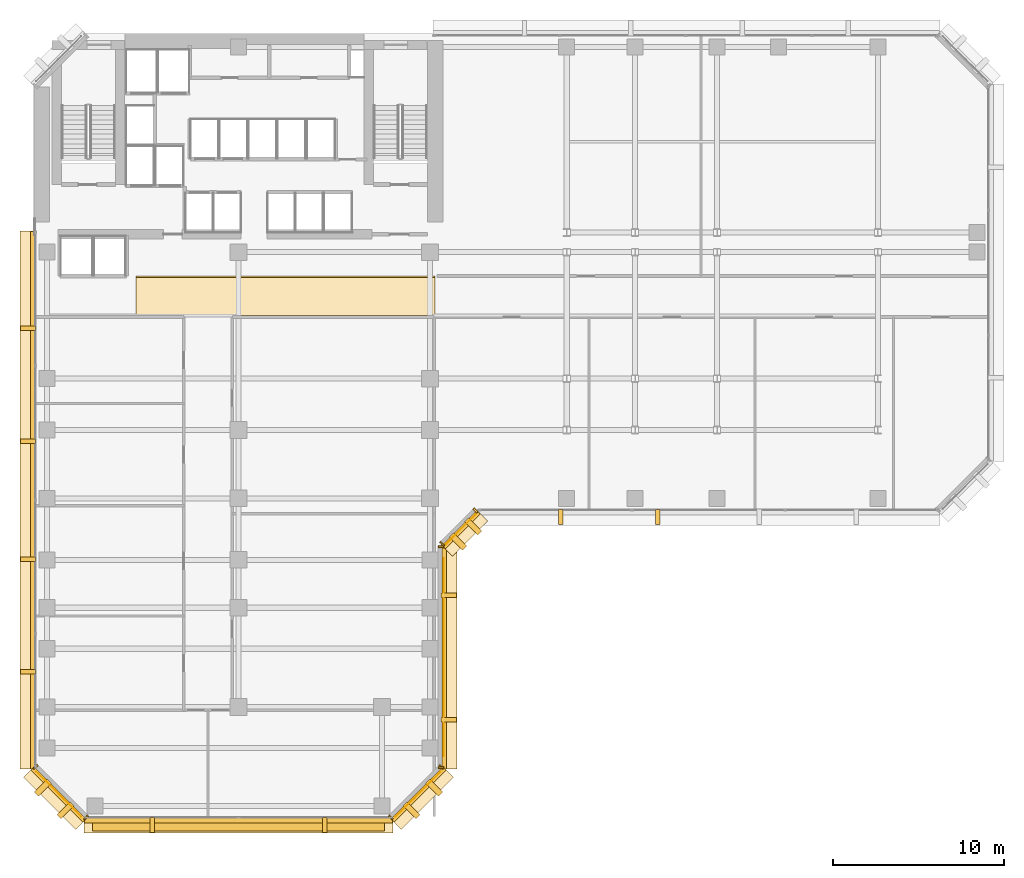
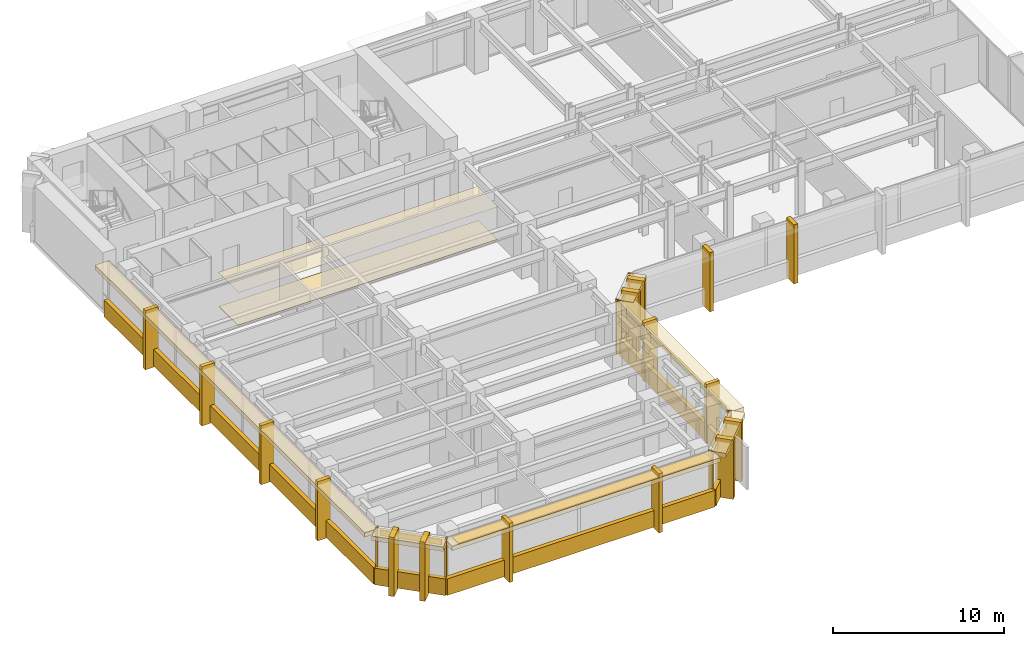
# One storey, part 9 of 13: 42 coverings, 1 shading device.
"""IFC4 building model written with IfcOpenShell, lengths in metres."""

from ifc_helpers import new_model, si_unit, direction, frame, origin, origin_2d, place, context, subcontext, project, spatial, polyline, rectangle, outline, extrude, material, layer, layer_set, type_object, element, save


model = new_model("IFC4")

# Units and contexts
model_context = context("Model", 3, precision=1e-05, world=origin(), true_north=direction((0.0, 1.0)))
body_context = subcontext(model_context, "Body", "Model", "MODEL_VIEW")
ifc_project = project(units=[si_unit("LENGTHUNIT", "METRE"), si_unit("AREAUNIT", "SQUARE_METRE"), si_unit("VOLUMEUNIT", "CUBIC_METRE"), si_unit("PLANEANGLEUNIT", "RADIAN"), si_unit("MASSUNIT", "GRAM", prefix="KILO")], contexts=[model_context])

# Site, building, storey
site_placement = place(None, origin())
site = spatial("IfcSite", under=ifc_project, at=site_placement, CompositionType="ELEMENT")
building_placement = place(site_placement, origin())
building = spatial("IfcBuilding", under=site, at=building_placement, Name="Kefirva Bronze Tower", CompositionType="ELEMENT")
storey_placement = place(building_placement, frame((0.0, 0.0, 106.590087890625)))
storey = spatial("IfcBuildingStorey", under=building, at=storey_placement, Name="L25", CompositionType="ELEMENT", Elevation=106.590087890625)

# Coverings
ifc_material_1 = material(Name="Acoustic mineral tile")
ifc_layer_1 = layer(ifc_material_1, 0.02490234375, Name="Acoustic mineral tile")
ifc_layer_set_1 = layer_set([ifc_layer_1], Name="Acoustic mineral tile")
covering_type_1 = type_object("IfcCoveringType", Name="Acoustic Mineral Suspended Ceiling 25mm", PredefinedType="CEILING", material=ifc_layer_set_1)
covering_1_placement = place(storey_placement, frame((0.0, 0.0, 2.39990234375)))
element("IfcCovering", 1, at=covering_1_placement, inside=storey, type_object=covering_type_1, Name="L25 Corridor Acoustic Ceiling", PredefinedType="CEILING", context=body_context, shape_type="SweptSolid", body=[
    extrude(outline(polyline([(6.0, 29.39990234375), (23.5, 29.39990234375), (23.5, 31.800048828125), (6.0, 31.800048828125), (6.0, 29.39990234375)])), origin(), (0.0, 0.0, 1.0), 0.02490234375),
])
ifc_material_2 = material(Name="Bronze anodised aluminium", Category="aluminium")
ifc_layer_2 = layer(ifc_material_2, 0.02001953125, Name="Bronze anodised aluminium")
ifc_layer_set_2 = layer_set([ifc_layer_2], Name="Bronze anodised aluminium")
covering_type_2 = type_object("IfcCoveringType", Name="Anodised Bronze Spandrel Cladding 20mm", PredefinedType="CLADDING", material=ifc_layer_set_2)
covering_2_placement = place(storey_placement, frame((12.0, -0.0400390625, -0.16015625), z_axis=(0.0, 0.0, 1.0), x_axis=(1.0, 0.0, 0.0)))
element("IfcCovering", 2, at=covering_2_placement, inside=storey, type_object=covering_type_2, Name="L25 Streamline Horizontal Spandrel Band 0", PredefinedType="CLADDING", context=body_context, shape_type="SweptSolid", body=[
    extrude(rectangle(XDim=18.0400390625, YDim=0.280029296875, at=origin_2d()), origin(), (0.0, 0.0, 1.0), 1.179931640625),
])
covering_3_placement = place(storey_placement, frame((22.507080078125, 1.492919921875, 3.2900390625), z_axis=(0.0, 0.0, 1.0), x_axis=(0.707106781187, 0.707106781187, 0.0)))
element("IfcCovering", 3, at=covering_3_placement, inside=storey, type_object=covering_type_2, Name="L25 Bronze Spandrel Cladding 1", PredefinedType="CLADDING", context=body_context, shape_type="SweptSolid", body=[
    extrude(rectangle(XDim=3.719482421875, YDim=0.02001953125, at=origin_2d()), origin(), (0.0, 0.0, 1.0), 0.39990234375),
])
for number, where, z_axis, x_axis, name in (
    (4, (20.91162109375, 0.137939453125, 0.0), (0.0, 0.0, 1.0), (0.707106781187, 0.707106781187, 0.0), "L25 Facade Joint Closure Panel 1S"),
    (5, (23.862060546875, 3.08837890625, 0.0), (0.0, 0.0, 1.0), (0.707106781187, 0.707106781187, 0.0), "L25 Facade Joint Closure Panel 1E"),
):
    element("IfcCovering", number, at=place(storey_placement, frame(where, z_axis=z_axis, x_axis=x_axis)), inside=storey, type_object=covering_type_2, Name=name, PredefinedType="CLADDING", context=body_context, shape_type="SweptSolid", body=[
        extrude(rectangle(XDim=0.10009765625, YDim=0.320068359375, at=origin_2d()), origin(), (0.0, 0.0, 1.0), 3.7099609375),
    ])
covering_4_placement = place(storey_placement, frame((22.5283203125, 1.4716796875, -0.16015625), z_axis=(0.0, 0.0, 1.0), x_axis=(0.707106781187, 0.707106781187, 0.0)))
element("IfcCovering", 6, at=covering_4_placement, inside=storey, type_object=covering_type_2, Name="L25 Streamline Horizontal Spandrel Band 1", PredefinedType="CLADDING", context=body_context, shape_type="SweptSolid", body=[
    extrude(rectangle(XDim=4.28271484375, YDim=0.280029296875, at=origin_2d()), origin(), (0.0, 0.0, 1.0), 1.179931640625),
])
covering_5_placement = place(storey_placement, frame((24.010009765625, 9.5, 3.2900390625), z_axis=(0.0, 0.0, 1.0), x_axis=(0.0, 1.0, 0.0)))
element("IfcCovering", 7, at=covering_5_placement, inside=storey, type_object=covering_type_2, Name="L25 Bronze Spandrel Cladding 2", PredefinedType="CLADDING", context=body_context, shape_type="SweptSolid", body=[
    extrude(rectangle(XDim=11.60107421875, YDim=0.02001953125, at=origin_2d()), origin(), (0.0, 0.0, 1.0), 0.39990234375),
])
for number, where, z_axis, x_axis, name in (
    (8, (23.840087890625, 3.034912109375, 0.0), (0.0, 0.0, 1.0), (0.0, 1.0, 0.0), "L25 Facade Joint Closure Panel 2S"),
    (9, (23.840087890625, 15.965087890625, 0.0), (0.0, 0.0, 1.0), (0.0, 1.0, 0.0), "L25 Facade Joint Closure Panel 2E"),
):
    element("IfcCovering", number, at=place(storey_placement, frame(where, z_axis=z_axis, x_axis=x_axis)), inside=storey, type_object=covering_type_2, Name=name, PredefinedType="CLADDING", context=body_context, shape_type="SweptSolid", body=[
        extrude(rectangle(XDim=0.10009765625, YDim=0.320068359375, at=origin_2d()), origin(), (0.0, 0.0, 1.0), 3.7099609375),
    ])
covering_6_placement = place(storey_placement, frame((24.0400390625, 9.5, -0.16015625), z_axis=(0.0, 0.0, 1.0), x_axis=(0.0, 1.0, 0.0)))
element("IfcCovering", 10, at=covering_6_placement, inside=storey, type_object=covering_type_2, Name="L25 Streamline Horizontal Spandrel Band 2", PredefinedType="CLADDING", context=body_context, shape_type="SweptSolid", body=[
    extrude(rectangle(XDim=13.0400390625, YDim=0.280029296875, at=origin_2d()), origin(), (0.0, 0.0, 1.0), 1.179931640625),
])
covering_7_placement = place(storey_placement, frame((25.007080078125, 16.992919921875, 3.2900390625), z_axis=(0.0, 0.0, 1.0), x_axis=(0.707106781187, 0.707106781187, 0.0)))
element("IfcCovering", 11, at=covering_7_placement, inside=storey, type_object=covering_type_2, Name="L25 Bronze Spandrel Cladding 3", PredefinedType="CLADDING", context=body_context, shape_type="SweptSolid", body=[
    extrude(rectangle(XDim=2.446533203125, YDim=0.02001953125, at=origin_2d()), origin(), (0.0, 0.0, 1.0), 0.39990234375),
])
for number, where, z_axis, x_axis, name in (
    (12, (23.91162109375, 16.137939453125, 0.0), (0.0, 0.0, 1.0), (0.707106781187, 0.707106781187, 0.0), "L25 Facade Joint Closure Panel 3S"),
    (13, (25.862060546875, 18.08837890625, 0.0), (0.0, 0.0, 1.0), (0.707106781187, 0.707106781187, 0.0), "L25 Facade Joint Closure Panel 3E"),
):
    element("IfcCovering", number, at=place(storey_placement, frame(where, z_axis=z_axis, x_axis=x_axis)), inside=storey, type_object=covering_type_2, Name=name, PredefinedType="CLADDING", context=body_context, shape_type="SweptSolid", body=[
        extrude(rectangle(XDim=0.10009765625, YDim=0.320068359375, at=origin_2d()), origin(), (0.0, 0.0, 1.0), 3.7099609375),
    ])
covering_8_placement = place(storey_placement, frame((25.0283203125, 16.9716796875, -0.16015625), z_axis=(0.0, 0.0, 1.0), x_axis=(0.707106781187, 0.707106781187, 0.0)))
element("IfcCovering", 14, at=covering_8_placement, inside=storey, type_object=covering_type_2, Name="L25 Streamline Horizontal Spandrel Band 3", PredefinedType="CLADDING", context=body_context, shape_type="SweptSolid", body=[
    extrude(rectangle(XDim=2.868408203125, YDim=0.280029296875, at=origin_2d()), origin(), (0.0, 0.0, 1.0), 1.179931640625),
])
covering_9_placement = place(storey_placement, frame((-0.0400390625, 18.697509765625, -0.16015625), z_axis=(0.0, 0.0, 1.0), x_axis=(0.0, -1.0, 0.0)))
element("IfcCovering", 15, at=covering_9_placement, inside=storey, type_object=covering_type_2, Name="L25 Streamline Horizontal Spandrel Band 10", PredefinedType="CLADDING", context=body_context, shape_type="SweptSolid", body=[
    extrude(rectangle(XDim=31.43505859375, YDim=0.280029296875, at=origin_2d()), origin(), (0.0, 0.0, 1.0), 1.179931640625),
])
covering_10_placement = place(storey_placement, frame((1.492919921875, 1.492919921875, 3.2900390625), z_axis=(0.0, 0.0, 1.0), x_axis=(0.707106781187, -0.707106781187, 0.0)))
element("IfcCovering", 16, at=covering_10_placement, inside=storey, type_object=covering_type_2, Name="L25 Bronze Spandrel Cladding 7", PredefinedType="CLADDING", context=body_context, shape_type="SweptSolid", body=[
    extrude(rectangle(XDim=3.719482421875, YDim=0.02001953125, at=origin_2d()), origin(), (0.0, 0.0, 1.0), 0.39990234375),
])
for number, where, z_axis, x_axis, name in (
    (17, (0.137939453125, 3.08837890625, 0.0), (0.0, 0.0, 1.0), (0.707106781187, -0.707106781187, 0.0), "L25 Facade Joint Closure Panel 7S"),
    (18, (3.08837890625, 0.137939453125, 0.0), (0.0, 0.0, 1.0), (0.707106781187, -0.707106781187, 0.0), "L25 Facade Joint Closure Panel 7E"),
):
    element("IfcCovering", number, at=place(storey_placement, frame(where, z_axis=z_axis, x_axis=x_axis)), inside=storey, type_object=covering_type_2, Name=name, PredefinedType="CLADDING", context=body_context, shape_type="SweptSolid", body=[
        extrude(rectangle(XDim=0.10009765625, YDim=0.320068359375, at=origin_2d()), origin(), (0.0, 0.0, 1.0), 3.7099609375),
    ])
covering_11_placement = place(storey_placement, frame((1.4716796875, 1.4716796875, -0.16015625), z_axis=(0.0, 0.0, 1.0), x_axis=(0.707106781187, -0.707106781187, 0.0)))
element("IfcCovering", 19, at=covering_11_placement, inside=storey, type_object=covering_type_2, Name="L25 Streamline Horizontal Spandrel Band 11", PredefinedType="CLADDING", context=body_context, shape_type="SweptSolid", body=[
    extrude(rectangle(XDim=4.28271484375, YDim=0.280029296875, at=origin_2d()), origin(), (0.0, 0.0, 1.0), 1.179931640625),
])

# Shading device
ifc_layer_3 = layer(ifc_material_2, 0.090087890625, Name="Bronze anodised aluminium")
ifc_layer_set_3 = layer_set([ifc_layer_3], Name="Bronze anodised aluminium")
shading_device_type = type_object("IfcShadingDeviceType", Name="Horizontal Bronze Sunshade Band 750mm", PredefinedType="JALOUSIE", material=ifc_layer_set_3)
shading_device_placement = place(storey_placement, frame((12.0, -0.294921875, 3.60498046875), z_axis=(0.0, 0.0, 1.0), x_axis=(1.0, 0.0, 0.0)))
element("IfcShadingDevice", 20, at=shading_device_placement, inside=storey, type_object=shading_device_type, Name="L25 Horizontal Bronze Sunshade Band 0", PredefinedType="JALOUSIE", context=body_context, shape_type="SweptSolid", body=[
    extrude(rectangle(XDim=17.090087890625, YDim=0.75, at=origin_2d()), origin(), (0.0, 0.0, 1.0), 0.090087890625),
])

# Coverings
ifc_material_3 = material(Name="Calcium sulphate access tile")
ifc_layer_4 = layer(ifc_material_3, 0.044921875, Name="Calcium sulphate access tile")
ifc_layer_set_4 = layer_set([ifc_layer_4], Name="Calcium sulphate access tile")
covering_type_3 = type_object("IfcCoveringType", Name="Raised Access Office Flooring 45mm", PredefinedType="FLOORING", material=ifc_layer_set_4)
covering_12_placement = place(storey_placement, origin())
element("IfcCovering", 21, at=covering_12_placement, inside=storey, type_object=covering_type_3, Name="L25 Architectural Finish Flooring", PredefinedType="FLOORING", context=body_context, shape_type="SweptSolid", body=[
    extrude(outline(polyline([(6.0, 29.47998046875), (23.5, 29.47998046875), (23.5, 31.719970703125), (6.0, 31.719970703125), (6.0, 29.47998046875)])), origin(), (0.0, 0.0, 1.0), 0.044921875),
])
ifc_layer_5 = layer(ifc_material_2, 0.179931640625, Name="Bronze anodised aluminium")
ifc_layer_set_5 = layer_set([ifc_layer_5], Name="Bronze anodised aluminium")
covering_type_4 = type_object("IfcCoveringType", Name="Streamline Bronze Sunshade Eyebrow Cladding 180mm", PredefinedType="CLADDING", material=ifc_layer_set_5)
covering_13_placement = place(storey_placement, frame((12.0, -0.31005859375, 3.3896484375), z_axis=(0.0, 0.0, 1.0), x_axis=(1.0, 0.0, 0.0)))
element("IfcCovering", 22, at=covering_13_placement, inside=storey, type_object=covering_type_4, Name="L25 Streamline Bronze Sunshade Eyebrow 0", PredefinedType="CLADDING", context=body_context, shape_type="SweptSolid", body=[
    extrude(rectangle(XDim=18.080078125, YDim=0.93994140625, at=origin_2d()), origin(), (0.0, 0.0, 1.0), 0.320068359375),
])
covering_14_placement = place(storey_placement, frame((22.71923828125, 1.28076171875, 3.3896484375), z_axis=(0.0, 0.0, 1.0), x_axis=(0.707106781187, 0.707106781187, 0.0)))
element("IfcCovering", 23, at=covering_14_placement, inside=storey, type_object=covering_type_4, Name="L25 Streamline Bronze Sunshade Eyebrow 1", PredefinedType="CLADDING", context=body_context, shape_type="SweptSolid", body=[
    extrude(rectangle(XDim=4.322509765625, YDim=0.93994140625, at=origin_2d()), origin(), (0.0, 0.0, 1.0), 0.320068359375),
])
covering_15_placement = place(storey_placement, frame((24.31005859375, 9.5, 3.3896484375), z_axis=(0.0, 0.0, 1.0), x_axis=(0.0, 1.0, 0.0)))
element("IfcCovering", 24, at=covering_15_placement, inside=storey, type_object=covering_type_4, Name="L25 Streamline Bronze Sunshade Eyebrow 2", PredefinedType="CLADDING", context=body_context, shape_type="SweptSolid", body=[
    extrude(rectangle(XDim=13.080078125, YDim=0.93994140625, at=origin_2d()), origin(), (0.0, 0.0, 1.0), 0.320068359375),
])
covering_16_placement = place(storey_placement, frame((25.21923828125, 16.78076171875, 3.3896484375), z_axis=(0.0, 0.0, 1.0), x_axis=(0.707106781187, 0.707106781187, 0.0)))
element("IfcCovering", 25, at=covering_16_placement, inside=storey, type_object=covering_type_4, Name="L25 Streamline Bronze Sunshade Eyebrow 3", PredefinedType="CLADDING", context=body_context, shape_type="SweptSolid", body=[
    extrude(rectangle(XDim=2.908447265625, YDim=0.93994140625, at=origin_2d()), origin(), (0.0, 0.0, 1.0), 0.320068359375),
])
covering_17_placement = place(storey_placement, frame((-0.31005859375, 18.697509765625, 3.3896484375), z_axis=(0.0, 0.0, 1.0), x_axis=(0.0, -1.0, 0.0)))
element("IfcCovering", 26, at=covering_17_placement, inside=storey, type_object=covering_type_4, Name="L25 Streamline Bronze Sunshade Eyebrow 10", PredefinedType="CLADDING", context=body_context, shape_type="SweptSolid", body=[
    extrude(rectangle(XDim=31.47509765625, YDim=0.93994140625, at=origin_2d()), origin(), (0.0, 0.0, 1.0), 0.320068359375),
])
covering_18_placement = place(storey_placement, frame((1.28076171875, 1.28076171875, 3.3896484375), z_axis=(0.0, 0.0, 1.0), x_axis=(0.707106781187, -0.707106781187, 0.0)))
element("IfcCovering", 27, at=covering_18_placement, inside=storey, type_object=covering_type_4, Name="L25 Streamline Bronze Sunshade Eyebrow 11", PredefinedType="CLADDING", context=body_context, shape_type="SweptSolid", body=[
    extrude(rectangle(XDim=4.322509765625, YDim=0.93994140625, at=origin_2d()), origin(), (0.0, 0.0, 1.0), 0.320068359375),
])
ifc_layer_6 = layer(ifc_material_2, 0.260009765625, Name="Bronze anodised aluminium")
ifc_layer_set_6 = layer_set([ifc_layer_6], Name="Bronze anodised aluminium")
covering_type_5 = type_object("IfcCoveringType", Name="Unbroken Bronze Buttress Fin Cladding 260mm", PredefinedType="CLADDING", material=ifc_layer_set_6)
for number, where, z_axis, x_axis, name in (
    (28, (6.9599609375, -0.300048828125, -0.25), (0.0, 0.0, 1.0), (1.0, 0.0, 0.0), "L25 Unbroken Vertical Bronze Rib Fin 1"),
    (29, (17.0400390625, -0.300048828125, -0.25), (0.0, 0.0, 1.0), (1.0, 0.0, 0.0), "L25 Unbroken Vertical Bronze Rib Fin 2"),
):
    element("IfcCovering", number, at=place(storey_placement, frame(where, z_axis=z_axis, x_axis=x_axis)), inside=storey, type_object=covering_type_5, Name=name, PredefinedType="CLADDING", context=body_context, shape_type="SweptSolid", body=[
        extrude(rectangle(XDim=0.260009765625, YDim=0.8798828125, at=origin_2d()), origin(), (0.0, 0.0, 1.0), 4.2099609375),
    ])
for number, where, z_axis, x_axis, name in (
    (30, (22.122802734375, 0.55712890625, -0.25), (0.0, 0.0, 1.0), (0.707106781187, 0.707106781187, 0.0), "L25 Chamfered Corner Buttress Fin Cladding 3"),
    (31, (23.44287109375, 1.877197265625, -0.25), (0.0, 0.0, 1.0), (0.707106781187, 0.707106781187, 0.0), "L25 Chamfered Corner Buttress Fin Cladding 4"),
):
    element("IfcCovering", number, at=place(storey_placement, frame(where, z_axis=z_axis, x_axis=x_axis)), inside=storey, type_object=covering_type_5, Name=name, PredefinedType="CLADDING", context=body_context, shape_type="SweptSolid", body=[
        extrude(rectangle(XDim=0.340087890625, YDim=1.080078125, at=origin_2d()), origin(), (0.0, 0.0, 1.0), 4.2099609375),
    ])
for number, where, z_axis, x_axis, name in (
    (32, (24.300048828125, 5.860107421875, -0.25), (0.0, 0.0, 1.0), (0.0, 1.0, 0.0), "L25 Unbroken Vertical Bronze Rib Fin 5"),
    (33, (24.300048828125, 13.139892578125, -0.25), (0.0, 0.0, 1.0), (0.0, 1.0, 0.0), "L25 Unbroken Vertical Bronze Rib Fin 6"),
):
    element("IfcCovering", number, at=place(storey_placement, frame(where, z_axis=z_axis, x_axis=x_axis)), inside=storey, type_object=covering_type_5, Name=name, PredefinedType="CLADDING", context=body_context, shape_type="SweptSolid", body=[
        extrude(rectangle(XDim=0.260009765625, YDim=0.8798828125, at=origin_2d()), origin(), (0.0, 0.0, 1.0), 4.2099609375),
    ])
for number, where, z_axis, x_axis, name in (
    (34, (24.8427734375, 16.277099609375, -0.25), (0.0, 0.0, 1.0), (0.707106781187, 0.707106781187, 0.0), "L25 Chamfered Corner Buttress Fin Cladding 7"),
    (35, (25.722900390625, 17.1572265625, -0.25), (0.0, 0.0, 1.0), (0.707106781187, 0.707106781187, 0.0), "L25 Chamfered Corner Buttress Fin Cladding 8"),
):
    element("IfcCovering", number, at=place(storey_placement, frame(where, z_axis=z_axis, x_axis=x_axis)), inside=storey, type_object=covering_type_5, Name=name, PredefinedType="CLADDING", context=body_context, shape_type="SweptSolid", body=[
        extrude(rectangle(XDim=0.340087890625, YDim=1.080078125, at=origin_2d()), origin(), (0.0, 0.0, 1.0), 4.2099609375),
    ])
for number, where, z_axis, x_axis, name in (
    (36, (30.860107421875, 17.699951171875, -0.25), (0.0, 0.0, 1.0), (1.0, 0.0, 0.0), "L25 Unbroken Vertical Bronze Rib Fin 9"),
    (37, (36.530029296875, 17.699951171875, -0.25), (0.0, 0.0, 1.0), (1.0, 0.0, 0.0), "L25 Unbroken Vertical Bronze Rib Fin 10"),
    (38, (-0.300048828125, 28.743896484375, -0.25), (0.0, 0.0, 1.0), (0.0, -1.0, 0.0), "L25 Unbroken Vertical Bronze Rib Fin 25"),
    (39, (-0.300048828125, 22.15087890625, -0.25), (0.0, 0.0, 1.0), (0.0, -1.0, 0.0), "L25 Unbroken Vertical Bronze Rib Fin 26"),
    (40, (-0.300048828125, 15.244140625, -0.25), (0.0, 0.0, 1.0), (0.0, -1.0, 0.0), "L25 Unbroken Vertical Bronze Rib Fin 27"),
    (41, (-0.300048828125, 8.651123046875, -0.25), (0.0, 0.0, 1.0), (0.0, -1.0, 0.0), "L25 Unbroken Vertical Bronze Rib Fin 28"),
):
    element("IfcCovering", number, at=place(storey_placement, frame(where, z_axis=z_axis, x_axis=x_axis)), inside=storey, type_object=covering_type_5, Name=name, PredefinedType="CLADDING", context=body_context, shape_type="SweptSolid", body=[
        extrude(rectangle(XDim=0.260009765625, YDim=0.8798828125, at=origin_2d()), origin(), (0.0, 0.0, 1.0), 4.2099609375),
    ])
for number, where, z_axis, x_axis, name in (
    (42, (0.55712890625, 1.877197265625, -0.25), (0.0, 0.0, 1.0), (0.707106781187, -0.707106781187, 0.0), "L25 Chamfered Corner Buttress Fin Cladding 29"),
    (43, (1.877197265625, 0.55712890625, -0.25), (0.0, 0.0, 1.0), (0.707106781187, -0.707106781187, 0.0), "L25 Chamfered Corner Buttress Fin Cladding 30"),
):
    element("IfcCovering", number, at=place(storey_placement, frame(where, z_axis=z_axis, x_axis=x_axis)), inside=storey, type_object=covering_type_5, Name=name, PredefinedType="CLADDING", context=body_context, shape_type="SweptSolid", body=[
        extrude(rectangle(XDim=0.340087890625, YDim=1.080078125, at=origin_2d()), origin(), (0.0, 0.0, 1.0), 4.2099609375),
    ])

save(model, "model.ifc")
